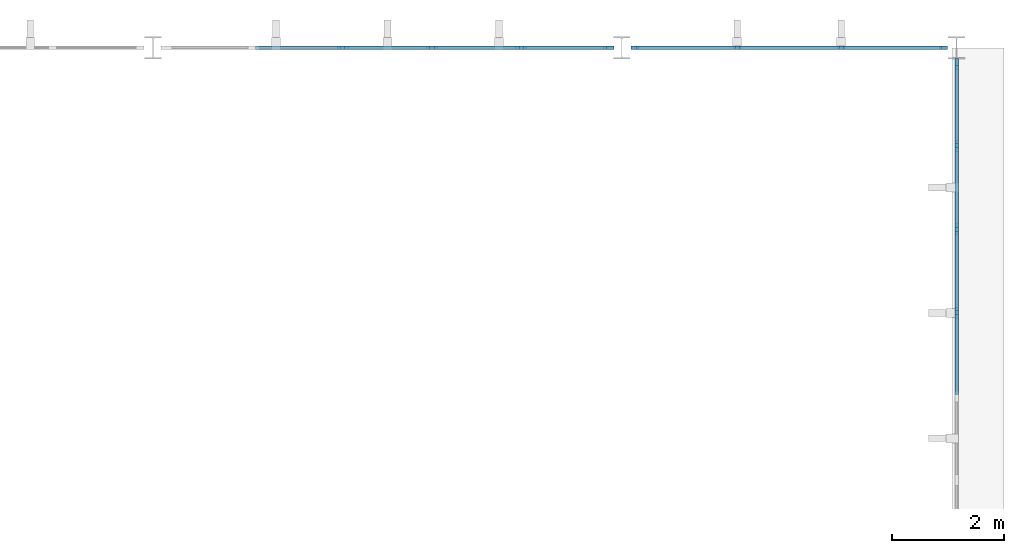
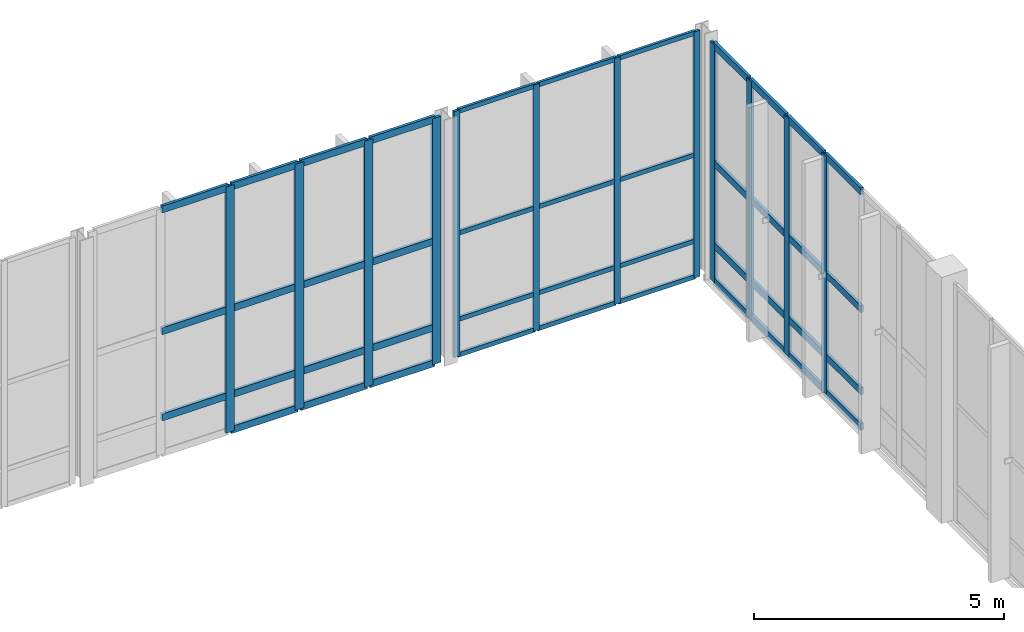
# One storey, part 53 of 105: 55 members, 3 elements without a shape of their own.
"""IFC4 building model written with IfcOpenShell, lengths in metres."""

import ifcopenshell
import ifcopenshell.guid

model = None  # the IFC model being written
_history = None  # IfcOwnerHistory: only IFC2X3 demands one
_inside = {}  # id of a spatial element -> (the spatial element, [elements in it])
_under = {}  # id of a project, library or spatial element -> (it, [spatial elements below it])
_declared = {}  # id of a project -> (the project, [libraries it declares])
_typed = {}  # id of a type object -> (the type object, [elements of that type])
_made_of = {}  # id of a material, layer set ... -> (it, [elements and type objects made of it])


def new_model(schema):
    """Start an empty IFC model of exactly this schema.

    Asked for "IFC4X3", IfcOpenShell would pick the latest addendum, in which some entities
    have other attributes; the version numbers below select the first issue.
    IFC2X3 requires an IfcOwnerHistory on every rooted entity: one is made here for all.
    """
    global model, _history
    if schema == "IFC4X3":
        model = ifcopenshell.file(schema_version=(4, 3, 0, 0))
    else:
        model = ifcopenshell.file(schema=schema)
    _inside.clear()
    _under.clear()
    _declared.clear()
    _typed.clear()
    _made_of.clear()
    _history = None
    if model.schema == "IFC2X3":
        org = make("IfcOrganization", Name="unknown")
        user = make(
            "IfcPersonAndOrganization",
            ThePerson=make("IfcPerson", FamilyName="unknown"),
            TheOrganization=org,
        )
        app = make(
            "IfcApplication",
            ApplicationDeveloper=org,
            Version="unknown",
            ApplicationFullName="unknown",
            ApplicationIdentifier="unknown",
        )
        _history = make(
            "IfcOwnerHistory",
            OwningUser=user,
            OwningApplication=app,
            ChangeAction="ADDED",
            CreationDate=0,
        )
    return model


def make(cls, **values):
    """One entity of the class cls with the attributes given. An attribute that is None is left unset."""
    return model.create_entity(
        cls, **{name: value for name, value in values.items() if value is not None}
    )


def rooted(cls, **values):
    """An entity with a GlobalId (a new one), such as an element, a storey or a relation."""
    return make(cls, GlobalId=ifcopenshell.guid.new(), OwnerHistory=_history, **values)


def si_unit(unit_type, name, prefix=None):
    """IfcSIUnit, for example si_unit("LENGTHUNIT", "METRE", prefix="MILLI")."""
    return make("IfcSIUnit", UnitType=unit_type, Prefix=prefix, Name=name)


def assignment(units):
    """IfcUnitAssignment: the units of a project."""
    return None if units is None else make("IfcUnitAssignment", Units=units)


def point(xyz):
    """IfcCartesianPoint."""
    return None if xyz is None else make("IfcCartesianPoint", Coordinates=xyz)


def direction(xyz):
    """IfcDirection."""
    return None if xyz is None else make("IfcDirection", DirectionRatios=xyz)


def frame(location, z_axis=None, x_axis=None):
    """IfcAxis2Placement3D, a coordinate frame: its origin and axes. An axis left out is left unset."""
    return make(
        "IfcAxis2Placement3D",
        Location=point(location),
        Axis=direction(z_axis),
        RefDirection=direction(x_axis),
    )


def frame_2d(location, x_axis=None):
    """IfcAxis2Placement2D, a coordinate frame in the plane: its origin and x axis."""
    return make(
        "IfcAxis2Placement2D", Location=point(location), RefDirection=direction(x_axis)
    )


def origin():
    """The frame at (0, 0, 0) with its axes left unset."""
    return frame((0.0, 0.0, 0.0))


def origin_2d():
    """The frame at (0, 0) in the plane with its x axis left unset."""
    return frame_2d((0.0, 0.0))


def place(relative_to, where):
    """IfcLocalPlacement: puts the frame where relative to a parent placement (None: the world)."""
    return make(
        "IfcLocalPlacement", PlacementRelTo=relative_to, RelativePlacement=where
    )


def context(
    kind, dimensions, precision=None, world=None, true_north=None, identifier=None
):
    """IfcGeometricRepresentationContext, for example the 3D "Model" context."""
    return make(
        "IfcGeometricRepresentationContext",
        ContextIdentifier=identifier,
        ContextType=kind,
        CoordinateSpaceDimension=dimensions,
        Precision=precision,
        WorldCoordinateSystem=world,
        TrueNorth=true_north,
    )


def subcontext(parent, identifier, kind, view, scale=None):
    """IfcGeometricRepresentationSubContext, for example "Body" below "Model"."""
    return make(
        "IfcGeometricRepresentationSubContext",
        ContextIdentifier=identifier,
        ContextType=kind,
        ParentContext=parent,
        TargetScale=scale,
        TargetView=view,
    )


def project(units=None, contexts=None):
    """IfcProject with its units and contexts."""
    return rooted(
        "IfcProject",
        Name="project",
        RepresentationContexts=contexts,
        UnitsInContext=assignment(units),
    )


def spatial(cls, under=None, at=None, **own):
    """A site, building, storey or space (cls), placed at a placement, below another one or the project."""
    s = rooted(cls, ObjectPlacement=at, **own)
    if under is not None:
        _under.setdefault(under.id(), (under, []))[1].append(s)
    return s


def profile(cls, at=None, kind="AREA", **sizes):
    """A parametric profile (cls). Its sizes go by their IFC names, for example OverallWidth=200.0."""
    return make(cls, ProfileType=kind, Position=at, **sizes)


def rectangle(**sizes):
    """IfcRectangleProfileDef."""
    return profile("IfcRectangleProfileDef", **sizes)


def extrude(swept, where, along, depth):
    """IfcExtrudedAreaSolid: the profile swept, set in the frame where, extruded along a direction by depth."""
    return make(
        "IfcExtrudedAreaSolid",
        SweptArea=swept,
        Position=where,
        ExtrudedDirection=direction(along),
        Depth=depth,
    )


def shape(context_of_items, identifier, shape_type, items):
    """IfcShapeRepresentation: the items that make up one representation, for example the "Body"."""
    return make(
        "IfcShapeRepresentation",
        ContextOfItems=context_of_items,
        RepresentationIdentifier=identifier,
        RepresentationType=shape_type,
        Items=items,
    )


def material(Name=None, Category=None):
    """IfcMaterial."""
    return make("IfcMaterial", Name=Name, Category=Category)


def material_profile(
    of_material, cross_section, Name=None, Category=None, Priority=None
):
    """IfcMaterialProfile: a cross section and its material."""
    return make(
        "IfcMaterialProfile",
        Name=Name,
        Material=of_material,
        Profile=cross_section,
        Priority=Priority,
        Category=Category,
    )


def profile_set(profiles, Name=None, composite=None):
    """IfcMaterialProfileSet."""
    return make(
        "IfcMaterialProfileSet",
        Name=Name,
        MaterialProfiles=profiles,
        CompositeProfile=composite,
    )


def made_of(thing, what):
    """Note that an element or type object is made of a material, layer set ...; save() writes the relation."""
    if what is not None:
        _made_of.setdefault(what.id(), (what, []))[1].append(thing)
    return thing


def type_object(cls, material=None, **own):
    """A type object (cls), such as IfcWallType, which elements share."""
    return made_of(rooted(cls, **own), material)


def element(
    cls,
    number,
    at=None,
    inside=None,
    cuts=None,
    type_object=None,
    material=None,
    context=None,
    identifier="Body",
    shape_type=None,
    held_by="IfcProductDefinitionShape",
    body=None,
    shapes=None,
    **own,
):
    """One element of the class cls, such as IfcWall. Its Tag is "e" and its number.

    at: its placement. inside: the storey or other place that contains it. cuts: it is an
    opening in that element (IfcRelVoidsElement). A single representation is given by context,
    identifier, shape_type and body (its items); several are given by shapes. held_by: the class
    of the entity that holds the representations. save() writes the other relations.
    """
    e = rooted(cls, Tag="e%d" % number, ObjectPlacement=at, **own)
    if body is not None:
        shapes = [shape(context, identifier, shape_type, body)]
    if shapes is not None:
        e.Representation = make(held_by, Representations=shapes)
    if inside is not None:
        _inside.setdefault(inside.id(), (inside, []))[1].append(e)
    if cuts is not None:
        rooted(
            "IfcRelVoidsElement", RelatingBuildingElement=cuts, RelatedOpeningElement=e
        )
    if type_object is not None:
        _typed.setdefault(type_object.id(), (type_object, []))[1].append(e)
    return made_of(e, material)


def aggregate(whole, parts):
    """IfcRelAggregates: a whole, such as a stair, and the parts it consists of."""
    return rooted("IfcRelAggregates", RelatingObject=whole, RelatedObjects=parts)


def save(model, path):
    """Write the relations noted so far, then the file.

    IfcRelAggregates (storeys below a building ...), IfcRelContainedInSpatialStructure (elements
    in a storey), IfcRelDefinesByType, IfcRelAssociatesMaterial and IfcRelDeclares: one each for
    every whole, place, type object, material and project.
    """
    for whole, parts in _under.values():
        aggregate(whole, parts)
    for where, things in _inside.values():
        rooted(
            "IfcRelContainedInSpatialStructure",
            RelatedElements=things,
            RelatingStructure=where,
        )
    for kind, things in _typed.values():
        rooted("IfcRelDefinesByType", RelatedObjects=things, RelatingType=kind)
    for what, things in _made_of.values():
        rooted("IfcRelAssociatesMaterial", RelatedObjects=things, RelatingMaterial=what)
    for by, libraries in _declared.values():
        rooted("IfcRelDeclares", RelatingContext=by, RelatedDefinitions=libraries)
    model.write(path)


model = new_model("IFC4")

# Units and contexts
model_context = context("Model", 3, precision=1e-05, world=origin(), true_north=direction((0.0, 1.0)))
body_context = subcontext(model_context, "Body", "Model", "MODEL_VIEW")
ifc_project = project(units=[si_unit("LENGTHUNIT", "METRE"), si_unit("AREAUNIT", "SQUARE_METRE"), si_unit("VOLUMEUNIT", "CUBIC_METRE"), si_unit("PLANEANGLEUNIT", "RADIAN"), si_unit("MASSUNIT", "GRAM", prefix="KILO")], contexts=[model_context])

# Site, building, storey
site_placement = place(None, origin())
site = spatial("IfcSite", under=ifc_project, at=site_placement, CompositionType="ELEMENT")
building_placement = place(site_placement, origin())
building = spatial("IfcBuilding", under=site, at=building_placement, Name="Tizgana Railside Sports Hall", CompositionType="ELEMENT")
storey_placement = place(building_placement, frame((0.0, 0.0, 6.0)))
storey = spatial("IfcBuildingStorey", under=building, at=storey_placement, Name="L01", CompositionType="ELEMENT", Elevation=6.0)

# Curtain wall, members
ifc_material_1 = material(Name="Anodised aluminium and glass", Category="aluminium")
curtain_wall_type_1 = type_object("IfcCurtainWallType", Name="Unitised Curtain Wall WestHall 1560", PredefinedType="NOTDEFINED", material=ifc_material_1)
curtain_wall_1_placement = place(storey_placement, origin())
curtain_wall_1 = element("IfcCurtainWall", 1, at=curtain_wall_1_placement, inside=storey, type_object=curtain_wall_type_1, Name="L01 Curtain Wall CW-0054", PredefinedType="NOTDEFINED")
ifc_material_2 = material(Name="Anodised aluminium", Category="aluminium")
ifc_material_profile_1 = material_profile(ifc_material_2, rectangle(XDim=0.06005859375, YDim=0.139892578125, at=origin_2d()), Name="Mullion 60x140")
ifc_profile_set_1 = profile_set([ifc_material_profile_1], Name="Anodised aluminium")
member_type_1 = type_object("IfcMemberType", Name="Mullion 60x140", PredefinedType="MULLION", material=ifc_profile_set_1)
member_1_placement = place(storey_placement, frame((166.43505859375, 117.60009765625, 0.0), z_axis=(0.0, 0.0, 1.0), x_axis=(0.0, 1.0, 0.0)))
member_1 = element("IfcMember", 2, at=member_1_placement, type_object=member_type_1, Name="CW-07 mullion 1", PredefinedType="MULLION", context=body_context, shape_type="SweptSolid", body=[
    extrude(rectangle(XDim=0.06005859375, YDim=0.139892578125, at=origin_2d()), origin(), (0.0, 0.0, 1.0), 6.0),
])
member_2_placement = place(storey_placement, frame((168.268310546875, 117.60009765625, 0.0), z_axis=(0.0, 0.0, 1.0), x_axis=(0.0, 1.0, 0.0)))
member_2 = element("IfcMember", 3, at=member_2_placement, type_object=member_type_1, Name="CW-07 mullion 2", PredefinedType="MULLION", context=body_context, shape_type="SweptSolid", body=[
    extrude(rectangle(XDim=0.06005859375, YDim=0.139892578125, at=origin_2d()), origin(), (0.0, 0.0, 1.0), 6.0),
])
member_3_placement = place(storey_placement, frame((170.131591796875, 117.60009765625, 0.0), z_axis=(0.0, 0.0, 1.0), x_axis=(0.0, 1.0, 0.0)))
member_3 = element("IfcMember", 4, at=member_3_placement, type_object=member_type_1, Name="CW-07 mullion 3", PredefinedType="MULLION", context=body_context, shape_type="SweptSolid", body=[
    extrude(rectangle(XDim=0.06005859375, YDim=0.139892578125, at=origin_2d()), origin(), (0.0, 0.0, 1.0), 6.0),
])
member_4_placement = place(storey_placement, frame((171.965087890625, 117.60009765625, 0.0), z_axis=(0.0, 0.0, 1.0), x_axis=(0.0, 1.0, 0.0)))
member_4 = element("IfcMember", 5, at=member_4_placement, type_object=member_type_1, Name="CW-07 mullion 4", PredefinedType="MULLION", context=body_context, shape_type="SweptSolid", body=[
    extrude(rectangle(XDim=0.06005859375, YDim=0.139892578125, at=origin_2d()), origin(), (0.0, 0.0, 1.0), 6.0),
])

curtain_wall_type_2 = type_object("IfcCurtainWallType", Name="Unitised Curtain Wall Climbing 1600", PredefinedType="NOTDEFINED", material=ifc_material_1)
curtain_wall_2_placement = place(storey_placement, origin())
curtain_wall_2 = element("IfcCurtainWall", 6, at=curtain_wall_2_placement, inside=storey, type_object=curtain_wall_type_2, Name="L01 Curtain Wall CW-0051", PredefinedType="NOTDEFINED")
ifc_material_profile_2 = material_profile(ifc_material_2, rectangle(XDim=0.06494140625, YDim=0.199951171875, at=origin_2d()), Name="Mullion 65x200")
ifc_profile_set_2 = profile_set([ifc_material_profile_2], Name="Anodised aluminium")
member_type_2 = type_object("IfcMemberType", Name="Mullion 65x200", PredefinedType="MULLION", material=ifc_profile_set_2)
member_5_placement = place(storey_placement, frame((161.200927734375, 117.60009765625, 0.0), z_axis=(0.0, 0.0, 1.0), x_axis=(0.0, 1.0, 0.0)))
member_5 = element("IfcMember", 7, at=member_5_placement, type_object=member_type_2, Name="CW-04 mullion 3", PredefinedType="MULLION", context=body_context, shape_type="SweptSolid", body=[
    extrude(rectangle(XDim=0.06494140625, YDim=0.199951171875, at=origin_2d()), origin(), (0.0, 0.0, 1.0), 6.0),
])
member_6_placement = place(storey_placement, frame((162.799072265625, 117.60009765625, 0.0), z_axis=(0.0, 0.0, 1.0), x_axis=(0.0, 1.0, 0.0)))
member_6 = element("IfcMember", 8, at=member_6_placement, type_object=member_type_2, Name="CW-04 mullion 4", PredefinedType="MULLION", context=body_context, shape_type="SweptSolid", body=[
    extrude(rectangle(XDim=0.06494140625, YDim=0.199951171875, at=origin_2d()), origin(), (0.0, 0.0, 1.0), 6.0),
])
member_7_placement = place(storey_placement, frame((164.39697265625, 117.60009765625, 0.0), z_axis=(0.0, 0.0, 1.0), x_axis=(0.0, 1.0, 0.0)))
member_7 = element("IfcMember", 9, at=member_7_placement, type_object=member_type_2, Name="CW-04 mullion 5", PredefinedType="MULLION", context=body_context, shape_type="SweptSolid", body=[
    extrude(rectangle(XDim=0.06494140625, YDim=0.199951171875, at=origin_2d()), origin(), (0.0, 0.0, 1.0), 6.0),
])
member_8_placement = place(storey_placement, frame((165.96240234375, 117.60009765625, 0.0), z_axis=(0.0, 0.0, 1.0), x_axis=(0.0, 1.0, 0.0)))
member_8 = element("IfcMember", 10, at=member_8_placement, type_object=member_type_2, Name="CW-04 mullion 6", PredefinedType="MULLION", context=body_context, shape_type="SweptSolid", body=[
    extrude(rectangle(XDim=0.06494140625, YDim=0.199951171875, at=origin_2d()), origin(), (0.0, 0.0, 1.0), 6.0),
])

curtain_wall_type_3 = type_object("IfcCurtainWallType", Name="Unitised Curtain Wall Passage 1800", PredefinedType="NOTDEFINED", material=ifc_material_1)
curtain_wall_3_placement = place(storey_placement, origin())
curtain_wall_3 = element("IfcCurtainWall", 11, at=curtain_wall_3_placement, inside=storey, type_object=curtain_wall_type_3, Name="L01 Curtain Wall CW-0069", PredefinedType="NOTDEFINED")
member_9_placement = place(storey_placement, frame((172.199951171875, 112.85009765625, 0.0), z_axis=(0.0, 0.0, 1.0), x_axis=(-1.0, 0.0, 0.0)))
member_9 = element("IfcMember", 12, at=member_9_placement, type_object=member_type_2, Name="CW-06 mullion 4", PredefinedType="MULLION", context=body_context, shape_type="SweptSolid", body=[
    extrude(rectangle(XDim=0.06494140625, YDim=0.199951171875, at=origin_2d()), origin(), (0.0, 0.0, 1.0), 5.800048828125),
])
member_10_placement = place(storey_placement, frame((172.199951171875, 114.348388671875, 0.0), z_axis=(0.0, 0.0, 1.0), x_axis=(-1.0, 0.0, 0.0)))
member_10 = element("IfcMember", 13, at=member_10_placement, type_object=member_type_2, Name="CW-06 mullion 5", PredefinedType="MULLION", context=body_context, shape_type="SweptSolid", body=[
    extrude(rectangle(XDim=0.06494140625, YDim=0.199951171875, at=origin_2d()), origin(), (0.0, 0.0, 1.0), 5.800048828125),
])
member_11_placement = place(storey_placement, frame((172.199951171875, 115.8466796875, 0.0), z_axis=(0.0, 0.0, 1.0), x_axis=(-1.0, 0.0, 0.0)))
member_11 = element("IfcMember", 14, at=member_11_placement, type_object=member_type_2, Name="CW-06 mullion 6", PredefinedType="MULLION", context=body_context, shape_type="SweptSolid", body=[
    extrude(rectangle(XDim=0.06494140625, YDim=0.199951171875, at=origin_2d()), origin(), (0.0, 0.0, 1.0), 5.800048828125),
])
member_12_placement = place(storey_placement, frame((172.199951171875, 117.3125, 0.0), z_axis=(0.0, 0.0, 1.0), x_axis=(-1.0, 0.0, 0.0)))
member_12 = element("IfcMember", 15, at=member_12_placement, type_object=member_type_2, Name="CW-06 mullion 7", PredefinedType="MULLION", context=body_context, shape_type="SweptSolid", body=[
    extrude(rectangle(XDim=0.06494140625, YDim=0.199951171875, at=origin_2d()), origin(), (0.0, 0.0, 1.0), 5.800048828125),
])

# Member
ifc_material_profile_3 = material_profile(ifc_material_2, rectangle(XDim=0.06005859375, YDim=0.110107421875, at=origin_2d()), Name="Transom 60x110")
ifc_profile_set_3 = profile_set([ifc_material_profile_3], Name="Anodised aluminium")
member_type_3 = type_object("IfcMemberType", Name="Transom 60x110", PredefinedType="USERDEFINED", material=ifc_profile_set_3)
member_13_placement = place(storey_placement, frame((166.465087890625, 117.60009765625, 0.030029296875), z_axis=(1.0, 0.0, 0.0), x_axis=(0.0, 1.0, 0.0)))
member_13 = element("IfcMember", 16, at=member_13_placement, type_object=member_type_3, Name="CW-07 transom 1.1", ObjectType="TRANSOM", PredefinedType="USERDEFINED", context=body_context, shape_type="SweptSolid", body=[
    extrude(rectangle(XDim=0.06005859375, YDim=0.110107421875, at=origin_2d()), origin(), (0.0, 0.0, 1.0), 1.773193359375),
])

member_14_placement = place(storey_placement, frame((166.465087890625, 117.60009765625, 0.89990234375), z_axis=(1.0, 0.0, 0.0), x_axis=(0.0, 1.0, 0.0)))
member_14 = element("IfcMember", 17, at=member_14_placement, type_object=member_type_3, Name="CW-07 transom 1.2", ObjectType="TRANSOM", PredefinedType="USERDEFINED", context=body_context, shape_type="SweptSolid", body=[
    extrude(rectangle(XDim=0.06005859375, YDim=0.110107421875, at=origin_2d()), origin(), (0.0, 0.0, 1.0), 1.773193359375),
])

member_15_placement = place(storey_placement, frame((166.465087890625, 117.60009765625, 3.0), z_axis=(1.0, 0.0, 0.0), x_axis=(0.0, 1.0, 0.0)))
member_15 = element("IfcMember", 18, at=member_15_placement, type_object=member_type_3, Name="CW-07 transom 1.3", ObjectType="TRANSOM", PredefinedType="USERDEFINED", context=body_context, shape_type="SweptSolid", body=[
    extrude(rectangle(XDim=0.06005859375, YDim=0.110107421875, at=origin_2d()), origin(), (0.0, 0.0, 1.0), 1.773193359375),
])

member_16_placement = place(storey_placement, frame((166.465087890625, 117.60009765625, 5.969970703125), z_axis=(1.0, 0.0, 0.0), x_axis=(0.0, 1.0, 0.0)))
member_16 = element("IfcMember", 19, at=member_16_placement, type_object=member_type_3, Name="CW-07 transom 1.4", ObjectType="TRANSOM", PredefinedType="USERDEFINED", context=body_context, shape_type="SweptSolid", body=[
    extrude(rectangle(XDim=0.06005859375, YDim=0.110107421875, at=origin_2d()), origin(), (0.0, 0.0, 1.0), 1.773193359375),
])

member_17_placement = place(storey_placement, frame((168.29833984375, 117.60009765625, 0.030029296875), z_axis=(1.0, 0.0, 0.0), x_axis=(0.0, 1.0, 0.0)))
member_17 = element("IfcMember", 20, at=member_17_placement, type_object=member_type_3, Name="CW-07 transom 2.1", ObjectType="TRANSOM", PredefinedType="USERDEFINED", context=body_context, shape_type="SweptSolid", body=[
    extrude(rectangle(XDim=0.06005859375, YDim=0.110107421875, at=origin_2d()), origin(), (0.0, 0.0, 1.0), 1.80322265625),
])

member_18_placement = place(storey_placement, frame((168.29833984375, 117.60009765625, 0.89990234375), z_axis=(1.0, 0.0, 0.0), x_axis=(0.0, 1.0, 0.0)))
member_18 = element("IfcMember", 21, at=member_18_placement, type_object=member_type_3, Name="CW-07 transom 2.2", ObjectType="TRANSOM", PredefinedType="USERDEFINED", context=body_context, shape_type="SweptSolid", body=[
    extrude(rectangle(XDim=0.06005859375, YDim=0.110107421875, at=origin_2d()), origin(), (0.0, 0.0, 1.0), 1.80322265625),
])

member_19_placement = place(storey_placement, frame((168.29833984375, 117.60009765625, 3.0), z_axis=(1.0, 0.0, 0.0), x_axis=(0.0, 1.0, 0.0)))
member_19 = element("IfcMember", 22, at=member_19_placement, type_object=member_type_3, Name="CW-07 transom 2.3", ObjectType="TRANSOM", PredefinedType="USERDEFINED", context=body_context, shape_type="SweptSolid", body=[
    extrude(rectangle(XDim=0.06005859375, YDim=0.110107421875, at=origin_2d()), origin(), (0.0, 0.0, 1.0), 1.80322265625),
])

member_20_placement = place(storey_placement, frame((168.29833984375, 117.60009765625, 5.969970703125), z_axis=(1.0, 0.0, 0.0), x_axis=(0.0, 1.0, 0.0)))
member_20 = element("IfcMember", 23, at=member_20_placement, type_object=member_type_3, Name="CW-07 transom 2.4", ObjectType="TRANSOM", PredefinedType="USERDEFINED", context=body_context, shape_type="SweptSolid", body=[
    extrude(rectangle(XDim=0.06005859375, YDim=0.110107421875, at=origin_2d()), origin(), (0.0, 0.0, 1.0), 1.80322265625),
])

member_21_placement = place(storey_placement, frame((170.16162109375, 117.60009765625, 0.030029296875), z_axis=(1.0, 0.0, 0.0), x_axis=(0.0, 1.0, 0.0)))
member_21 = element("IfcMember", 24, at=member_21_placement, type_object=member_type_3, Name="CW-07 transom 3.1", ObjectType="TRANSOM", PredefinedType="USERDEFINED", context=body_context, shape_type="SweptSolid", body=[
    extrude(rectangle(XDim=0.06005859375, YDim=0.110107421875, at=origin_2d()), origin(), (0.0, 0.0, 1.0), 1.7734375),
])

member_22_placement = place(storey_placement, frame((170.16162109375, 117.60009765625, 0.89990234375), z_axis=(1.0, 0.0, 0.0), x_axis=(0.0, 1.0, 0.0)))
member_22 = element("IfcMember", 25, at=member_22_placement, type_object=member_type_3, Name="CW-07 transom 3.2", ObjectType="TRANSOM", PredefinedType="USERDEFINED", context=body_context, shape_type="SweptSolid", body=[
    extrude(rectangle(XDim=0.06005859375, YDim=0.110107421875, at=origin_2d()), origin(), (0.0, 0.0, 1.0), 1.7734375),
])

member_23_placement = place(storey_placement, frame((170.16162109375, 117.60009765625, 3.0), z_axis=(1.0, 0.0, 0.0), x_axis=(0.0, 1.0, 0.0)))
member_23 = element("IfcMember", 26, at=member_23_placement, type_object=member_type_3, Name="CW-07 transom 3.3", ObjectType="TRANSOM", PredefinedType="USERDEFINED", context=body_context, shape_type="SweptSolid", body=[
    extrude(rectangle(XDim=0.06005859375, YDim=0.110107421875, at=origin_2d()), origin(), (0.0, 0.0, 1.0), 1.7734375),
])

member_24_placement = place(storey_placement, frame((170.16162109375, 117.60009765625, 5.969970703125), z_axis=(1.0, 0.0, 0.0), x_axis=(0.0, 1.0, 0.0)))
member_24 = element("IfcMember", 27, at=member_24_placement, type_object=member_type_3, Name="CW-07 transom 3.4", ObjectType="TRANSOM", PredefinedType="USERDEFINED", context=body_context, shape_type="SweptSolid", body=[
    extrude(rectangle(XDim=0.06005859375, YDim=0.110107421875, at=origin_2d()), origin(), (0.0, 0.0, 1.0), 1.7734375),
])

aggregate(curtain_wall_1, [member_1, member_2, member_3, member_4, member_13, member_14, member_15, member_16, member_17, member_18, member_19, member_20, member_21, member_22, member_23, member_24])

ifc_material_profile_4 = material_profile(ifc_material_2, rectangle(XDim=0.06494140625, YDim=0.169921875, at=origin_2d()), Name="Transom 65x170")
ifc_profile_set_4 = profile_set([ifc_material_profile_4], Name="Anodised aluminium")
member_type_4 = type_object("IfcMemberType", Name="Transom 65x170", PredefinedType="USERDEFINED", material=ifc_profile_set_4)
member_25_placement = place(storey_placement, frame((159.635498046875, 117.60009765625, 0.89990234375), z_axis=(1.0, 0.0, 0.0), x_axis=(0.0, 1.0, 0.0)))
member_25 = element("IfcMember", 28, at=member_25_placement, type_object=member_type_4, Name="CW-04 transom 2.2", ObjectType="TRANSOM", PredefinedType="USERDEFINED", context=body_context, shape_type="SweptSolid", body=[
    extrude(rectangle(XDim=0.06494140625, YDim=0.169921875, at=origin_2d()), origin(), (0.0, 0.0, 1.0), 1.532958984375),
])

member_26_placement = place(storey_placement, frame((159.635498046875, 117.60009765625, 3.0), z_axis=(1.0, 0.0, 0.0), x_axis=(0.0, 1.0, 0.0)))
member_26 = element("IfcMember", 29, at=member_26_placement, type_object=member_type_4, Name="CW-04 transom 2.3", ObjectType="TRANSOM", PredefinedType="USERDEFINED", context=body_context, shape_type="SweptSolid", body=[
    extrude(rectangle(XDim=0.06494140625, YDim=0.169921875, at=origin_2d()), origin(), (0.0, 0.0, 1.0), 1.532958984375),
])

member_27_placement = place(storey_placement, frame((159.635498046875, 117.60009765625, 5.967529296875), z_axis=(1.0, 0.0, 0.0), x_axis=(0.0, 1.0, 0.0)))
member_27 = element("IfcMember", 30, at=member_27_placement, type_object=member_type_4, Name="CW-04 transom 2.4", ObjectType="TRANSOM", PredefinedType="USERDEFINED", context=body_context, shape_type="SweptSolid", body=[
    extrude(rectangle(XDim=0.06494140625, YDim=0.169921875, at=origin_2d()), origin(), (0.0, 0.0, 1.0), 1.532958984375),
])

member_28_placement = place(storey_placement, frame((161.2333984375, 117.60009765625, 0.032470703125), z_axis=(1.0, 0.0, 0.0), x_axis=(0.0, 1.0, 0.0)))
member_28 = element("IfcMember", 31, at=member_28_placement, type_object=member_type_4, Name="CW-04 transom 3.1", ObjectType="TRANSOM", PredefinedType="USERDEFINED", context=body_context, shape_type="SweptSolid", body=[
    extrude(rectangle(XDim=0.06494140625, YDim=0.169921875, at=origin_2d()), origin(), (0.0, 0.0, 1.0), 1.533203125),
])

member_29_placement = place(storey_placement, frame((161.2333984375, 117.60009765625, 0.89990234375), z_axis=(1.0, 0.0, 0.0), x_axis=(0.0, 1.0, 0.0)))
member_29 = element("IfcMember", 32, at=member_29_placement, type_object=member_type_4, Name="CW-04 transom 3.2", ObjectType="TRANSOM", PredefinedType="USERDEFINED", context=body_context, shape_type="SweptSolid", body=[
    extrude(rectangle(XDim=0.06494140625, YDim=0.169921875, at=origin_2d()), origin(), (0.0, 0.0, 1.0), 1.533203125),
])

member_30_placement = place(storey_placement, frame((161.2333984375, 117.60009765625, 3.0), z_axis=(1.0, 0.0, 0.0), x_axis=(0.0, 1.0, 0.0)))
member_30 = element("IfcMember", 33, at=member_30_placement, type_object=member_type_4, Name="CW-04 transom 3.3", ObjectType="TRANSOM", PredefinedType="USERDEFINED", context=body_context, shape_type="SweptSolid", body=[
    extrude(rectangle(XDim=0.06494140625, YDim=0.169921875, at=origin_2d()), origin(), (0.0, 0.0, 1.0), 1.533203125),
])

member_31_placement = place(storey_placement, frame((161.2333984375, 117.60009765625, 5.967529296875), z_axis=(1.0, 0.0, 0.0), x_axis=(0.0, 1.0, 0.0)))
member_31 = element("IfcMember", 34, at=member_31_placement, type_object=member_type_4, Name="CW-04 transom 3.4", ObjectType="TRANSOM", PredefinedType="USERDEFINED", context=body_context, shape_type="SweptSolid", body=[
    extrude(rectangle(XDim=0.06494140625, YDim=0.169921875, at=origin_2d()), origin(), (0.0, 0.0, 1.0), 1.533203125),
])

member_32_placement = place(storey_placement, frame((162.83154296875, 117.60009765625, 0.032470703125), z_axis=(1.0, 0.0, 0.0), x_axis=(0.0, 1.0, 0.0)))
member_32 = element("IfcMember", 35, at=member_32_placement, type_object=member_type_4, Name="CW-04 transom 4.1", ObjectType="TRANSOM", PredefinedType="USERDEFINED", context=body_context, shape_type="SweptSolid", body=[
    extrude(rectangle(XDim=0.06494140625, YDim=0.169921875, at=origin_2d()), origin(), (0.0, 0.0, 1.0), 1.532958984375),
])

member_33_placement = place(storey_placement, frame((162.83154296875, 117.60009765625, 0.89990234375), z_axis=(1.0, 0.0, 0.0), x_axis=(0.0, 1.0, 0.0)))
member_33 = element("IfcMember", 36, at=member_33_placement, type_object=member_type_4, Name="CW-04 transom 4.2", ObjectType="TRANSOM", PredefinedType="USERDEFINED", context=body_context, shape_type="SweptSolid", body=[
    extrude(rectangle(XDim=0.06494140625, YDim=0.169921875, at=origin_2d()), origin(), (0.0, 0.0, 1.0), 1.532958984375),
])

member_34_placement = place(storey_placement, frame((162.83154296875, 117.60009765625, 3.0), z_axis=(1.0, 0.0, 0.0), x_axis=(0.0, 1.0, 0.0)))
member_34 = element("IfcMember", 37, at=member_34_placement, type_object=member_type_4, Name="CW-04 transom 4.3", ObjectType="TRANSOM", PredefinedType="USERDEFINED", context=body_context, shape_type="SweptSolid", body=[
    extrude(rectangle(XDim=0.06494140625, YDim=0.169921875, at=origin_2d()), origin(), (0.0, 0.0, 1.0), 1.532958984375),
])

member_35_placement = place(storey_placement, frame((162.83154296875, 117.60009765625, 5.967529296875), z_axis=(1.0, 0.0, 0.0), x_axis=(0.0, 1.0, 0.0)))
member_35 = element("IfcMember", 38, at=member_35_placement, type_object=member_type_4, Name="CW-04 transom 4.4", ObjectType="TRANSOM", PredefinedType="USERDEFINED", context=body_context, shape_type="SweptSolid", body=[
    extrude(rectangle(XDim=0.06494140625, YDim=0.169921875, at=origin_2d()), origin(), (0.0, 0.0, 1.0), 1.532958984375),
])

member_36_placement = place(storey_placement, frame((164.429443359375, 117.60009765625, 0.032470703125), z_axis=(1.0, 0.0, 0.0), x_axis=(0.0, 1.0, 0.0)))
member_36 = element("IfcMember", 39, at=member_36_placement, type_object=member_type_4, Name="CW-04 transom 5.1", ObjectType="TRANSOM", PredefinedType="USERDEFINED", context=body_context, shape_type="SweptSolid", body=[
    extrude(rectangle(XDim=0.06494140625, YDim=0.169921875, at=origin_2d()), origin(), (0.0, 0.0, 1.0), 1.50048828125),
])

member_37_placement = place(storey_placement, frame((164.429443359375, 117.60009765625, 0.89990234375), z_axis=(1.0, 0.0, 0.0), x_axis=(0.0, 1.0, 0.0)))
member_37 = element("IfcMember", 40, at=member_37_placement, type_object=member_type_4, Name="CW-04 transom 5.2", ObjectType="TRANSOM", PredefinedType="USERDEFINED", context=body_context, shape_type="SweptSolid", body=[
    extrude(rectangle(XDim=0.06494140625, YDim=0.169921875, at=origin_2d()), origin(), (0.0, 0.0, 1.0), 1.50048828125),
])

member_38_placement = place(storey_placement, frame((164.429443359375, 117.60009765625, 3.0), z_axis=(1.0, 0.0, 0.0), x_axis=(0.0, 1.0, 0.0)))
member_38 = element("IfcMember", 41, at=member_38_placement, type_object=member_type_4, Name="CW-04 transom 5.3", ObjectType="TRANSOM", PredefinedType="USERDEFINED", context=body_context, shape_type="SweptSolid", body=[
    extrude(rectangle(XDim=0.06494140625, YDim=0.169921875, at=origin_2d()), origin(), (0.0, 0.0, 1.0), 1.50048828125),
])

member_39_placement = place(storey_placement, frame((164.429443359375, 117.60009765625, 5.967529296875), z_axis=(1.0, 0.0, 0.0), x_axis=(0.0, 1.0, 0.0)))
member_39 = element("IfcMember", 42, at=member_39_placement, type_object=member_type_4, Name="CW-04 transom 5.4", ObjectType="TRANSOM", PredefinedType="USERDEFINED", context=body_context, shape_type="SweptSolid", body=[
    extrude(rectangle(XDim=0.06494140625, YDim=0.169921875, at=origin_2d()), origin(), (0.0, 0.0, 1.0), 1.50048828125),
])

aggregate(curtain_wall_2, [member_5, member_6, member_7, member_8, member_25, member_26, member_27, member_28, member_29, member_30, member_31, member_32, member_33, member_34, member_35, member_36, member_37, member_38, member_39])

member_40_placement = place(storey_placement, frame((172.199951171875, 111.38427734375, 0.032470703125), z_axis=(0.0, 1.0, 0.0), x_axis=(-1.0, 0.0, 0.0)))
member_40 = element("IfcMember", 43, at=member_40_placement, type_object=member_type_4, Name="CW-06 transom 3.1", ObjectType="TRANSOM", PredefinedType="USERDEFINED", context=body_context, shape_type="SweptSolid", body=[
    extrude(rectangle(XDim=0.06494140625, YDim=0.169921875, at=origin_2d()), origin(), (0.0, 0.0, 1.0), 1.43310546875),
])

member_41_placement = place(storey_placement, frame((172.199951171875, 111.38427734375, 0.89990234375), z_axis=(0.0, 1.0, 0.0), x_axis=(-1.0, 0.0, 0.0)))
member_41 = element("IfcMember", 44, at=member_41_placement, type_object=member_type_4, Name="CW-06 transom 3.2", ObjectType="TRANSOM", PredefinedType="USERDEFINED", context=body_context, shape_type="SweptSolid", body=[
    extrude(rectangle(XDim=0.06494140625, YDim=0.169921875, at=origin_2d()), origin(), (0.0, 0.0, 1.0), 1.43310546875),
])

member_42_placement = place(storey_placement, frame((172.199951171875, 111.38427734375, 2.89990234375), z_axis=(0.0, 1.0, 0.0), x_axis=(-1.0, 0.0, 0.0)))
member_42 = element("IfcMember", 45, at=member_42_placement, type_object=member_type_4, Name="CW-06 transom 3.3", ObjectType="TRANSOM", PredefinedType="USERDEFINED", context=body_context, shape_type="SweptSolid", body=[
    extrude(rectangle(XDim=0.06494140625, YDim=0.169921875, at=origin_2d()), origin(), (0.0, 0.0, 1.0), 1.43310546875),
])

member_43_placement = place(storey_placement, frame((172.199951171875, 111.38427734375, 5.767578125), z_axis=(0.0, 1.0, 0.0), x_axis=(-1.0, 0.0, 0.0)))
member_43 = element("IfcMember", 46, at=member_43_placement, type_object=member_type_4, Name="CW-06 transom 3.4", ObjectType="TRANSOM", PredefinedType="USERDEFINED", context=body_context, shape_type="SweptSolid", body=[
    extrude(rectangle(XDim=0.06494140625, YDim=0.169921875, at=origin_2d()), origin(), (0.0, 0.0, 1.0), 1.43310546875),
])

member_44_placement = place(storey_placement, frame((172.199951171875, 112.882568359375, 0.032470703125), z_axis=(0.0, 1.0, 0.0), x_axis=(-1.0, 0.0, 0.0)))
member_44 = element("IfcMember", 47, at=member_44_placement, type_object=member_type_4, Name="CW-06 transom 4.1", ObjectType="TRANSOM", PredefinedType="USERDEFINED", context=body_context, shape_type="SweptSolid", body=[
    extrude(rectangle(XDim=0.06494140625, YDim=0.169921875, at=origin_2d()), origin(), (0.0, 0.0, 1.0), 1.433349609375),
])

member_45_placement = place(storey_placement, frame((172.199951171875, 112.882568359375, 0.89990234375), z_axis=(0.0, 1.0, 0.0), x_axis=(-1.0, 0.0, 0.0)))
member_45 = element("IfcMember", 48, at=member_45_placement, type_object=member_type_4, Name="CW-06 transom 4.2", ObjectType="TRANSOM", PredefinedType="USERDEFINED", context=body_context, shape_type="SweptSolid", body=[
    extrude(rectangle(XDim=0.06494140625, YDim=0.169921875, at=origin_2d()), origin(), (0.0, 0.0, 1.0), 1.433349609375),
])

member_46_placement = place(storey_placement, frame((172.199951171875, 112.882568359375, 2.89990234375), z_axis=(0.0, 1.0, 0.0), x_axis=(-1.0, 0.0, 0.0)))
member_46 = element("IfcMember", 49, at=member_46_placement, type_object=member_type_4, Name="CW-06 transom 4.3", ObjectType="TRANSOM", PredefinedType="USERDEFINED", context=body_context, shape_type="SweptSolid", body=[
    extrude(rectangle(XDim=0.06494140625, YDim=0.169921875, at=origin_2d()), origin(), (0.0, 0.0, 1.0), 1.433349609375),
])

member_47_placement = place(storey_placement, frame((172.199951171875, 112.882568359375, 5.767578125), z_axis=(0.0, 1.0, 0.0), x_axis=(-1.0, 0.0, 0.0)))
member_47 = element("IfcMember", 50, at=member_47_placement, type_object=member_type_4, Name="CW-06 transom 4.4", ObjectType="TRANSOM", PredefinedType="USERDEFINED", context=body_context, shape_type="SweptSolid", body=[
    extrude(rectangle(XDim=0.06494140625, YDim=0.169921875, at=origin_2d()), origin(), (0.0, 0.0, 1.0), 1.433349609375),
])

member_48_placement = place(storey_placement, frame((172.199951171875, 114.380859375, 0.032470703125), z_axis=(0.0, 1.0, 0.0), x_axis=(-1.0, 0.0, 0.0)))
member_48 = element("IfcMember", 51, at=member_48_placement, type_object=member_type_4, Name="CW-06 transom 5.1", ObjectType="TRANSOM", PredefinedType="USERDEFINED", context=body_context, shape_type="SweptSolid", body=[
    extrude(rectangle(XDim=0.06494140625, YDim=0.169921875, at=origin_2d()), origin(), (0.0, 0.0, 1.0), 1.433349609375),
])

member_49_placement = place(storey_placement, frame((172.199951171875, 114.380859375, 0.89990234375), z_axis=(0.0, 1.0, 0.0), x_axis=(-1.0, 0.0, 0.0)))
member_49 = element("IfcMember", 52, at=member_49_placement, type_object=member_type_4, Name="CW-06 transom 5.2", ObjectType="TRANSOM", PredefinedType="USERDEFINED", context=body_context, shape_type="SweptSolid", body=[
    extrude(rectangle(XDim=0.06494140625, YDim=0.169921875, at=origin_2d()), origin(), (0.0, 0.0, 1.0), 1.433349609375),
])

member_50_placement = place(storey_placement, frame((172.199951171875, 114.380859375, 2.89990234375), z_axis=(0.0, 1.0, 0.0), x_axis=(-1.0, 0.0, 0.0)))
member_50 = element("IfcMember", 53, at=member_50_placement, type_object=member_type_4, Name="CW-06 transom 5.3", ObjectType="TRANSOM", PredefinedType="USERDEFINED", context=body_context, shape_type="SweptSolid", body=[
    extrude(rectangle(XDim=0.06494140625, YDim=0.169921875, at=origin_2d()), origin(), (0.0, 0.0, 1.0), 1.433349609375),
])

member_51_placement = place(storey_placement, frame((172.199951171875, 114.380859375, 5.767578125), z_axis=(0.0, 1.0, 0.0), x_axis=(-1.0, 0.0, 0.0)))
member_51 = element("IfcMember", 54, at=member_51_placement, type_object=member_type_4, Name="CW-06 transom 5.4", ObjectType="TRANSOM", PredefinedType="USERDEFINED", context=body_context, shape_type="SweptSolid", body=[
    extrude(rectangle(XDim=0.06494140625, YDim=0.169921875, at=origin_2d()), origin(), (0.0, 0.0, 1.0), 1.433349609375),
])

member_52_placement = place(storey_placement, frame((172.199951171875, 115.879150390625, 0.032470703125), z_axis=(0.0, 1.0, 0.0), x_axis=(-1.0, 0.0, 0.0)))
member_52 = element("IfcMember", 55, at=member_52_placement, type_object=member_type_4, Name="CW-06 transom 6.1", ObjectType="TRANSOM", PredefinedType="USERDEFINED", context=body_context, shape_type="SweptSolid", body=[
    extrude(rectangle(XDim=0.06494140625, YDim=0.169921875, at=origin_2d()), origin(), (0.0, 0.0, 1.0), 1.40087890625),
])

member_53_placement = place(storey_placement, frame((172.199951171875, 115.879150390625, 0.89990234375), z_axis=(0.0, 1.0, 0.0), x_axis=(-1.0, 0.0, 0.0)))
member_53 = element("IfcMember", 56, at=member_53_placement, type_object=member_type_4, Name="CW-06 transom 6.2", ObjectType="TRANSOM", PredefinedType="USERDEFINED", context=body_context, shape_type="SweptSolid", body=[
    extrude(rectangle(XDim=0.06494140625, YDim=0.169921875, at=origin_2d()), origin(), (0.0, 0.0, 1.0), 1.40087890625),
])

member_54_placement = place(storey_placement, frame((172.199951171875, 115.879150390625, 2.89990234375), z_axis=(0.0, 1.0, 0.0), x_axis=(-1.0, 0.0, 0.0)))
member_54 = element("IfcMember", 57, at=member_54_placement, type_object=member_type_4, Name="CW-06 transom 6.3", ObjectType="TRANSOM", PredefinedType="USERDEFINED", context=body_context, shape_type="SweptSolid", body=[
    extrude(rectangle(XDim=0.06494140625, YDim=0.169921875, at=origin_2d()), origin(), (0.0, 0.0, 1.0), 1.40087890625),
])

member_55_placement = place(storey_placement, frame((172.199951171875, 115.879150390625, 5.767578125), z_axis=(0.0, 1.0, 0.0), x_axis=(-1.0, 0.0, 0.0)))
member_55 = element("IfcMember", 58, at=member_55_placement, type_object=member_type_4, Name="CW-06 transom 6.4", ObjectType="TRANSOM", PredefinedType="USERDEFINED", context=body_context, shape_type="SweptSolid", body=[
    extrude(rectangle(XDim=0.06494140625, YDim=0.169921875, at=origin_2d()), origin(), (0.0, 0.0, 1.0), 1.40087890625),
])

aggregate(curtain_wall_3, [member_9, member_10, member_11, member_12, member_40, member_41, member_42, member_43, member_44, member_45, member_46, member_47, member_48, member_49, member_50, member_51, member_52, member_53, member_54, member_55])

save(model, "model.ifc")
